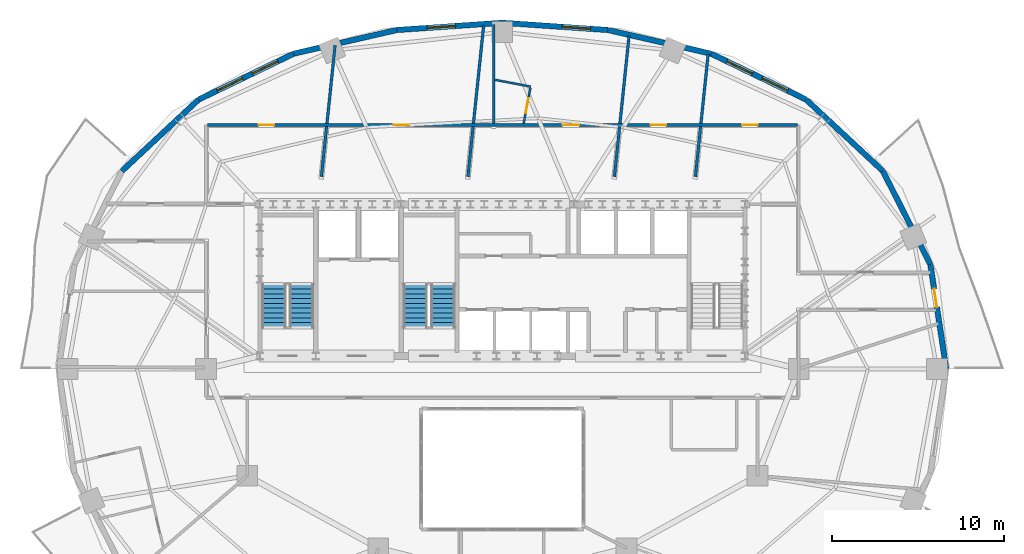
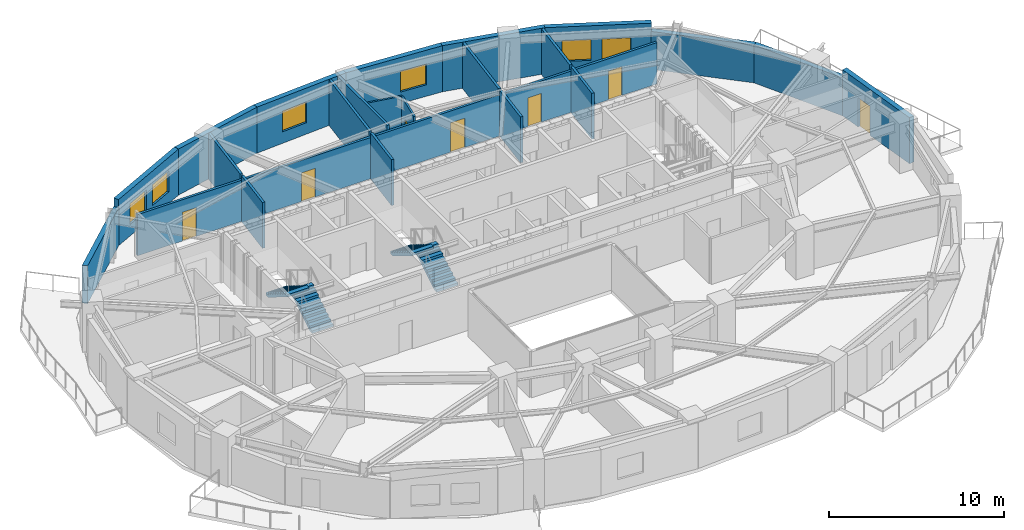
# One storey, part 8 of 13: 22 walls, 7 doors, 6 windows, 4 stair flights, 13 openings, 2 elements without a shape of their own.
"""IFC4 building model written with IfcOpenShell, lengths in metres."""

from ifc_helpers import new_model, si_unit, direction, frame, frame_2d, origin, place, context, subcontext, project, spatial, polyline, rectangle, outline, extrude, material, layer, layer_set, type_object, element, fill, aggregate, save


model = new_model("IFC4")

# Units and contexts
model_context = context("Model", 3, precision=1e-05, world=origin(), true_north=direction((0.0, 1.0)))
body_context = subcontext(model_context, "Body", "Model", "MODEL_VIEW")
ifc_project = project(units=[si_unit("LENGTHUNIT", "METRE"), si_unit("AREAUNIT", "SQUARE_METRE"), si_unit("VOLUMEUNIT", "CUBIC_METRE"), si_unit("PLANEANGLEUNIT", "RADIAN"), si_unit("MASSUNIT", "GRAM", prefix="KILO")], contexts=[model_context])

# Site, building, storey
site_placement = place(None, origin())
site = spatial("IfcSite", under=ifc_project, at=site_placement, CompositionType="ELEMENT")
building_placement = place(site_placement, origin())
building = spatial("IfcBuilding", under=site, at=building_placement, Name="Haldorwick Loom Tower", CompositionType="ELEMENT")
storey_placement = place(building_placement, frame((0.0, 0.0, 175.14990234375)))
storey = spatial("IfcBuildingStorey", under=building, at=storey_placement, Name="L47", CompositionType="ELEMENT", Elevation=175.14990234375)

# Wall, opening, door
ifc_material_1 = material(Name="Pressed Clay Face Brick and Insulated Masonry Backup Assembly", Category="masonry")
ifc_layer_1 = layer(ifc_material_1, 0.320068359375, Name="Pressed Clay Face Brick and Insulated Masonry Backup Assembly", Category="masonry")
ifc_layer_set_1 = layer_set([ifc_layer_1], Name="Pressed Clay Face Brick and Insulated Masonry Backup Assembly")
wall_type_1 = type_object("IfcWallType", Name="ARC-WL-EXT320", PredefinedType="STANDARD", material=ifc_layer_set_1)
wall_1_placement = place(storey_placement, frame((61.757080078125, 26.0, 0.0), z_axis=(0.0, 0.0, 1.0), x_axis=(-0.150544467684, 0.988603238539, 0.0)))
wall_1 = element("IfcWall", 1, at=wall_1_placement, inside=storey, type_object=wall_type_1, Name="L47 Brick Pier and Spandrel Wall 1", PredefinedType="STANDARD", context=body_context, shape_type="SweptSolid", body=[
    extrude(rectangle(XDim=6.125244140625, YDim=0.320068359375, at=frame_2d((3.0625, 0.0))), origin(), (0.0, 0.0, 1.0), 3.210205078125),
])
opening_1_placement = place(wall_1_placement, frame((3.62890625, 0.0, 0.0)))
opening_1 = element("IfcOpeningElement", 2, at=opening_1_placement, cuts=wall_1, Name="Opening D-BL11", PredefinedType="OPENING", context=body_context, shape_type="SweptSolid", body=[
    extrude(rectangle(XDim=1.080078125, YDim=2.0400390625, at=frame_2d((0.5400390625, 1.02001953125))), frame((0.0, 0.169921875, 0.0), z_axis=(0.0, -1.0, 0.0), x_axis=(1.0, 0.0, 0.0)), (0.0, 0.0, 1.0), 0.340087890625),
])
ifc_material_2 = material(Name="Thermally Broken Anodized Aluminium Curtain Wall Framing", Category="aluminium")
door_type_1 = type_object("IfcDoorType", Name="ARC-DR-BAL110", OperationType="NOTDEFINED", PredefinedType="DOOR", material=ifc_material_2)
door_1_placement = place(opening_1_placement, origin())
door_1 = element("IfcDoor", 3, at=door_1_placement, inside=storey, type_object=door_type_1, Name="L47 Outdoor Terrace Door SLB-L47-BAL_ENE", OperationType="SINGLE_SWING_LEFT", OverallHeight=2.0400390625, OverallWidth=1.080078125, PredefinedType="DOOR", context=body_context, shape_type="SweptSolid", body=[
    extrude(rectangle(XDim=1.080078125, YDim=2.0400390625, at=frame_2d((0.5400390625, 1.02001953125))), frame((0.0, 0.02490234375, 0.0), z_axis=(0.0, -1.0, 0.0), x_axis=(1.0, 0.0, 0.0)), (0.0, 0.0, 1.0), 0.050048828125),
])
fill(opening_1, door_1)

# Walls
wall_2_placement = place(storey_placement, frame((60.8349609375, 32.055419921875, 0.0), z_axis=(0.0, 0.0, 1.0), x_axis=(-0.453172129629, 0.89142303141, 0.0)))
element("IfcWall", 4, at=wall_2_placement, inside=storey, type_object=wall_type_1, Name="L47 Brick Pier and Spandrel Wall 2", PredefinedType="STANDARD", context=body_context, shape_type="SweptSolid", body=[
    extrude(rectangle(XDim=6.086669921875, YDim=0.320068359375, at=frame_2d((3.04345703125, 0.0))), origin(), (0.0, 0.0, 1.0), 2.64111328125),
])
wall_3_placement = place(storey_placement, frame((58.07666015625, 37.481201171875, 0.0), z_axis=(0.0, 0.0, 1.0), x_axis=(-0.732001571644, 0.681302942244, 0.0)))
element("IfcWall", 5, at=wall_3_placement, inside=storey, type_object=wall_type_1, Name="L47 Brick Pier and Spandrel Wall 3", PredefinedType="STANDARD", context=body_context, shape_type="SweptSolid", body=[
    extrude(rectangle(XDim=6.0869140625, YDim=0.320068359375, at=frame_2d((3.04345703125, 0.0))), origin(), (0.0, 0.0, 1.0), 2.64111328125),
])

# Wall, openings, windows
wall_4_placement = place(storey_placement, frame((53.62109375, 41.628173828125, 0.0), z_axis=(0.0, 0.0, 1.0), x_axis=(-0.900472429216, 0.43491309962, 0.0)))
wall_4 = element("IfcWall", 6, at=wall_4_placement, inside=storey, type_object=wall_type_1, Name="L47 Brick Pier and Spandrel Wall 4", PredefinedType="STANDARD", context=body_context, shape_type="SweptSolid", body=[
    extrude(rectangle(XDim=6.1181640625, YDim=0.320068359375, at=frame_2d((3.05908203125, 0.0))), origin(), (0.0, 0.0, 1.0), 3.210205078125),
])
opening_2_placement = place(wall_4_placement, frame((1.181884765625, 0.0, 0.800048828125)))
opening_2 = element("IfcOpeningElement", 7, at=opening_2_placement, cuts=wall_4, Name="Opening W-01B", PredefinedType="OPENING", context=body_context, shape_type="SweptSolid", body=[
    extrude(rectangle(XDim=1.64990234375, YDim=1.449951171875, at=frame_2d((0.824951171875, 0.72509765625))), frame((0.0, 0.169921875, 0.0), z_axis=(0.0, -1.0, 0.0), x_axis=(1.0, 0.0, 0.0)), (0.0, 0.0, 1.0), 0.340087890625),
])
opening_3_placement = place(wall_4_placement, frame((3.4580078125, 0.0, 0.800048828125)))
opening_3 = element("IfcOpeningElement", 8, at=opening_3_placement, cuts=wall_4, Name="Opening W-01B", PredefinedType="OPENING", context=body_context, shape_type="SweptSolid", body=[
    extrude(rectangle(XDim=1.64990234375, YDim=1.449951171875, at=frame_2d((0.824951171875, 0.72509765625))), frame((0.0, 0.169921875, 0.0), z_axis=(0.0, -1.0, 0.0), x_axis=(1.0, 0.0, 0.0)), (0.0, 0.0, 1.0), 0.340087890625),
])
ifc_material_3 = material(Name="Triple-Glazed Low-E Argon Insulated Glazing Unit", Category="glass")
window_type = type_object("IfcWindowType", Name="ARC-WIN-W165", PartitioningType="SINGLE_PANEL", PredefinedType="WINDOW", material=ifc_material_3)
window_1_placement = place(opening_2_placement, origin())
window_1 = element("IfcWindow", 9, at=window_1_placement, inside=storey, type_object=window_type, Name="L47 Deep-Set Zone 7A Window 4", OverallHeight=1.449951171875, OverallWidth=1.64990234375, PartitioningType="SINGLE_PANEL", PredefinedType="WINDOW", context=body_context, shape_type="SweptSolid", body=[
    extrude(rectangle(XDim=1.64990234375, YDim=1.449951171875, at=frame_2d((0.824951171875, 0.72509765625))), frame((0.0, 0.030029296875, 0.0), z_axis=(0.0, -1.0, 0.0), x_axis=(1.0, 0.0, 0.0)), (0.0, 0.0, 1.0), 0.06005859375),
])
fill(opening_2, window_1)
window_2_placement = place(opening_3_placement, origin())
window_2 = element("IfcWindow", 10, at=window_2_placement, inside=storey, type_object=window_type, Name="L47 Deep-Set Zone 7A Window 4", OverallHeight=1.449951171875, OverallWidth=1.64990234375, PartitioningType="SINGLE_PANEL", PredefinedType="WINDOW", context=body_context, shape_type="SweptSolid", body=[
    extrude(rectangle(XDim=1.64990234375, YDim=1.449951171875, at=frame_2d((0.824951171875, 0.72509765625))), frame((0.0, 0.030029296875, 0.0), z_axis=(0.0, -1.0, 0.0), x_axis=(1.0, 0.0, 0.0)), (0.0, 0.0, 1.0), 0.06005859375),
])
fill(opening_3, window_2)

# Wall
wall_5_placement = place(storey_placement, frame((48.11181640625, 44.2890625, 0.0), z_axis=(0.0, 0.0, 1.0), x_axis=(-0.974593223547, 0.223982250674, 0.0)))
element("IfcWall", 11, at=wall_5_placement, inside=storey, type_object=wall_type_1, Name="L47 Brick Pier and Spandrel Wall 5", PredefinedType="STANDARD", context=body_context, shape_type="SweptSolid", body=[
    extrude(rectangle(XDim=6.138916015625, YDim=0.320068359375, at=frame_2d((3.0693359375, 0.0))), origin(), (0.0, 0.0, 1.0), 3.210205078125),
])

# Wall, opening, window
wall_6_placement = place(storey_placement, frame((42.12890625, 45.6640625, 0.0), z_axis=(0.0, 0.0, 1.0), x_axis=(-0.997652942988, 0.068473391522, 0.0)))
wall_6 = element("IfcWall", 12, at=wall_6_placement, inside=storey, type_object=wall_type_1, Name="L47 Brick Pier and Spandrel Wall 6", PredefinedType="STANDARD", context=body_context, shape_type="SweptSolid", body=[
    extrude(rectangle(XDim=6.143310546875, YDim=0.320068359375, at=frame_2d((3.07177734375, 0.0))), origin(), (0.0, 0.0, 1.0), 3.210205078125),
])
opening_4_placement = place(wall_6_placement, frame((1.01806640625, 0.0, 0.800048828125)))
opening_4 = element("IfcOpeningElement", 13, at=opening_4_placement, cuts=wall_6, Name="Opening W-01B", PredefinedType="OPENING", context=body_context, shape_type="SweptSolid", body=[
    extrude(rectangle(XDim=1.64990234375, YDim=1.449951171875, at=frame_2d((0.824951171875, 0.72509765625))), frame((0.0, 0.169921875, 0.0), z_axis=(0.0, -1.0, 0.0), x_axis=(1.0, 0.0, 0.0)), (0.0, 0.0, 1.0), 0.340087890625),
])
window_3_placement = place(opening_4_placement, origin())
window_3 = element("IfcWindow", 14, at=window_3_placement, inside=storey, type_object=window_type, Name="L47 Deep-Set Zone 7A Window 6", OverallHeight=1.449951171875, OverallWidth=1.64990234375, PartitioningType="SINGLE_PANEL", PredefinedType="WINDOW", context=body_context, shape_type="SweptSolid", body=[
    extrude(rectangle(XDim=1.64990234375, YDim=1.449951171875, at=frame_2d((0.824951171875, 0.72509765625))), frame((0.0, 0.030029296875, 0.0), z_axis=(0.0, -1.0, 0.0), x_axis=(1.0, 0.0, 0.0)), (0.0, 0.0, 1.0), 0.06005859375),
])
fill(opening_4, window_3)

wall_7_placement = place(storey_placement, frame((36.0, 46.084716796875, 0.0), z_axis=(0.0, 0.0, 1.0), x_axis=(-0.997652942988, -0.068473391522, 0.0)))
wall_7 = element("IfcWall", 15, at=wall_7_placement, inside=storey, type_object=wall_type_1, Name="L47 Brick Pier and Spandrel Wall 7", PredefinedType="STANDARD", context=body_context, shape_type="SweptSolid", body=[
    extrude(rectangle(XDim=6.143310546875, YDim=0.320068359375, at=frame_2d((3.07177734375, 0.0))), origin(), (0.0, 0.0, 1.0), 3.210205078125),
])
opening_5_placement = place(wall_7_placement, frame((2.723388671875, 0.0, 0.800048828125)))
opening_5 = element("IfcOpeningElement", 16, at=opening_5_placement, cuts=wall_7, Name="Opening W-01B", PredefinedType="OPENING", context=body_context, shape_type="SweptSolid", body=[
    extrude(rectangle(XDim=1.64990234375, YDim=1.449951171875, at=frame_2d((0.824951171875, 0.72509765625))), frame((0.0, 0.169921875, 0.0), z_axis=(0.0, -1.0, 0.0), x_axis=(1.0, 0.0, 0.0)), (0.0, 0.0, 1.0), 0.340087890625),
])
window_4_placement = place(opening_5_placement, origin())
window_4 = element("IfcWindow", 17, at=window_4_placement, inside=storey, type_object=window_type, Name="L47 Deep-Set Zone 7A Window 7", OverallHeight=1.449951171875, OverallWidth=1.64990234375, PartitioningType="SINGLE_PANEL", PredefinedType="WINDOW", context=body_context, shape_type="SweptSolid", body=[
    extrude(rectangle(XDim=1.64990234375, YDim=1.449951171875, at=frame_2d((0.824951171875, 0.72509765625))), frame((0.0, 0.030029296875, 0.0), z_axis=(0.0, -1.0, 0.0), x_axis=(1.0, 0.0, 0.0)), (0.0, 0.0, 1.0), 0.06005859375),
])
fill(opening_5, window_4)

# Wall
wall_8_placement = place(storey_placement, frame((29.87109375, 45.6640625, 0.0), z_axis=(0.0, 0.0, 1.0), x_axis=(-0.974593223547, -0.223982250674, 0.0)))
element("IfcWall", 18, at=wall_8_placement, inside=storey, type_object=wall_type_1, Name="L47 Brick Pier and Spandrel Wall 8", PredefinedType="STANDARD", context=body_context, shape_type="SweptSolid", body=[
    extrude(rectangle(XDim=6.138916015625, YDim=0.320068359375, at=frame_2d((3.0693359375, 0.0))), origin(), (0.0, 0.0, 1.0), 3.210205078125),
])

# Wall, openings, windows
wall_9_placement = place(storey_placement, frame((23.88818359375, 44.2890625, 0.0), z_axis=(0.0, 0.0, 1.0), x_axis=(-0.900479976617, -0.434897472644, 0.0)))
wall_9 = element("IfcWall", 19, at=wall_9_placement, inside=storey, type_object=wall_type_1, Name="L47 Brick Pier and Spandrel Wall 9", PredefinedType="STANDARD", context=body_context, shape_type="SweptSolid", body=[
    extrude(rectangle(XDim=6.118408203125, YDim=0.320068359375, at=frame_2d((3.05908203125, 0.0))), origin(), (0.0, 0.0, 1.0), 3.210205078125),
])
opening_6_placement = place(wall_9_placement, frame((1.010498046875, 0.0, 0.800048828125)))
opening_6 = element("IfcOpeningElement", 20, at=opening_6_placement, cuts=wall_9, Name="Opening W-01B", PredefinedType="OPENING", context=body_context, shape_type="SweptSolid", body=[
    extrude(rectangle(XDim=1.64990234375, YDim=1.449951171875, at=frame_2d((0.824951171875, 0.72509765625))), frame((0.0, 0.169921875, 0.0), z_axis=(0.0, -1.0, 0.0), x_axis=(1.0, 0.0, 0.0)), (0.0, 0.0, 1.0), 0.340087890625),
])
opening_7_placement = place(wall_9_placement, frame((3.28662109375, 0.0, 0.800048828125)))
opening_7 = element("IfcOpeningElement", 21, at=opening_7_placement, cuts=wall_9, Name="Opening W-01B", PredefinedType="OPENING", context=body_context, shape_type="SweptSolid", body=[
    extrude(rectangle(XDim=1.64990234375, YDim=1.449951171875, at=frame_2d((0.824951171875, 0.72509765625))), frame((0.0, 0.169921875, 0.0), z_axis=(0.0, -1.0, 0.0), x_axis=(1.0, 0.0, 0.0)), (0.0, 0.0, 1.0), 0.340087890625),
])
window_5_placement = place(opening_6_placement, origin())
window_5 = element("IfcWindow", 22, at=window_5_placement, inside=storey, type_object=window_type, Name="L47 Deep-Set Zone 7A Window 9", OverallHeight=1.449951171875, OverallWidth=1.64990234375, PartitioningType="SINGLE_PANEL", PredefinedType="WINDOW", context=body_context, shape_type="SweptSolid", body=[
    extrude(rectangle(XDim=1.64990234375, YDim=1.449951171875, at=frame_2d((0.824951171875, 0.72509765625))), frame((0.0, 0.030029296875, 0.0), z_axis=(0.0, -1.0, 0.0), x_axis=(1.0, 0.0, 0.0)), (0.0, 0.0, 1.0), 0.06005859375),
])
fill(opening_6, window_5)
window_6_placement = place(opening_7_placement, origin())
window_6 = element("IfcWindow", 23, at=window_6_placement, inside=storey, type_object=window_type, Name="L47 Deep-Set Zone 7A Window 9", OverallHeight=1.449951171875, OverallWidth=1.64990234375, PartitioningType="SINGLE_PANEL", PredefinedType="WINDOW", context=body_context, shape_type="SweptSolid", body=[
    extrude(rectangle(XDim=1.64990234375, YDim=1.449951171875, at=frame_2d((0.824951171875, 0.72509765625))), frame((0.0, 0.030029296875, 0.0), z_axis=(0.0, -1.0, 0.0), x_axis=(1.0, 0.0, 0.0)), (0.0, 0.0, 1.0), 0.06005859375),
])
fill(opening_7, window_6)

# Wall
wall_10_placement = place(storey_placement, frame((18.378662109375, 41.628173828125, 0.0), z_axis=(0.0, 0.0, 1.0), x_axis=(-0.731982952968, -0.681322945866, 0.0)))
element("IfcWall", 24, at=wall_10_placement, inside=storey, type_object=wall_type_1, Name="L47 Brick Pier and Spandrel Wall 10", PredefinedType="STANDARD", context=body_context, shape_type="SweptSolid", body=[
    extrude(rectangle(XDim=6.086669921875, YDim=0.320068359375, at=frame_2d((3.04345703125, 0.0))), origin(), (0.0, 0.0, 1.0), 2.64111328125),
])

# Wall, openings, doors
ifc_material_4 = material(Name="Fire-Rated Type X Gypsum Stud Assembly EI 60")
ifc_layer_2 = layer(ifc_material_4, 0.159912109375, Name="Fire-Rated Type X Gypsum Stud Assembly EI 60")
ifc_layer_set_2 = layer_set([ifc_layer_2], Name="Fire-Rated Type X Gypsum Stud Assembly EI 60")
wall_type_2 = type_object("IfcWallType", Name="ARC-WL-FIRE160", PredefinedType="PARTITIONING", material=ifc_layer_set_2)
wall_11_placement = place(storey_placement, frame((18.883056640625, 40.14990234375, 0.0), z_axis=(0.0, 0.0, 1.0), x_axis=(1.0, 0.0, 0.0)))
wall_11 = element("IfcWall", 25, at=wall_11_placement, inside=storey, type_object=wall_type_2, Name="L47 Residential Fire Partition L47-CR-N0", PredefinedType="PARTITIONING", context=body_context, shape_type="SweptSolid", body=[
    extrude(rectangle(XDim=34.23388671875, YDim=0.159912109375, at=frame_2d((17.116943359375, 0.0))), origin(), (0.0, 0.0, 1.0), 2.8720703125),
])
opening_8_placement = place(wall_11_placement, frame((10.814208984375, 0.0, 0.0)))
opening_8 = element("IfcOpeningElement", 26, at=opening_8_placement, cuts=wall_11, Name="Opening D-FD60A", PredefinedType="OPENING", context=body_context, shape_type="SweptSolid", body=[
    extrude(rectangle(XDim=0.89990234375, YDim=2.0, at=frame_2d((0.449951171875, 1.0))), frame((0.0, 0.08984375, 0.0), z_axis=(0.0, -1.0, 0.0), x_axis=(1.0, 0.0, 0.0)), (0.0, 0.0, 1.0), 0.179931640625),
])
opening_9_placement = place(wall_11_placement, frame((2.973388671875, 0.0, 0.0)))
opening_9 = element("IfcOpeningElement", 27, at=opening_9_placement, cuts=wall_11, Name="Opening D-FD60A", PredefinedType="OPENING", context=body_context, shape_type="SweptSolid", body=[
    extrude(rectangle(XDim=0.89990234375, YDim=2.0, at=frame_2d((0.449951171875, 1.0))), frame((0.0, 0.08984375, 0.0), z_axis=(0.0, -1.0, 0.0), x_axis=(1.0, 0.0, 0.0)), (0.0, 0.0, 1.0), 0.179931640625),
])
opening_10_placement = place(wall_11_placement, frame((20.61767578125, 0.0, 0.0)))
opening_10 = element("IfcOpeningElement", 28, at=opening_10_placement, cuts=wall_11, Name="Opening D-FL95", PredefinedType="OPENING", context=body_context, shape_type="SweptSolid", body=[
    extrude(rectangle(XDim=0.949951171875, YDim=2.0400390625, at=frame_2d((0.47509765625, 1.02001953125))), frame((0.0, 0.08984375, 0.0), z_axis=(0.0, -1.0, 0.0), x_axis=(1.0, 0.0, 0.0)), (0.0, 0.0, 1.0), 0.179931640625),
])
opening_11_placement = place(wall_11_placement, frame((31.023193359375, 0.0, 0.0)))
opening_11 = element("IfcOpeningElement", 29, at=opening_11_placement, cuts=wall_11, Name="Opening D-FD60A", PredefinedType="OPENING", context=body_context, shape_type="SweptSolid", body=[
    extrude(rectangle(XDim=0.89990234375, YDim=2.0, at=frame_2d((0.449951171875, 1.0))), frame((0.0, 0.08984375, 0.0), z_axis=(0.0, -1.0, 0.0), x_axis=(1.0, 0.0, 0.0)), (0.0, 0.0, 1.0), 0.179931640625),
])
opening_12_placement = place(wall_11_placement, frame((25.722412109375, 0.0, 0.0)))
opening_12 = element("IfcOpeningElement", 30, at=opening_12_placement, cuts=wall_11, Name="Opening D-FD60A", PredefinedType="OPENING", context=body_context, shape_type="SweptSolid", body=[
    extrude(rectangle(XDim=0.89990234375, YDim=2.0, at=frame_2d((0.449951171875, 1.0))), frame((0.0, 0.08984375, 0.0), z_axis=(0.0, -1.0, 0.0), x_axis=(1.0, 0.0, 0.0)), (0.0, 0.0, 1.0), 0.179931640625),
])
ifc_material_5 = material(Name="Hollow Steel Fire Door Assembly", Category="steel")
door_type_2 = type_object("IfcDoorType", Name="ARC-DR-FD60-90", OperationType="NOTDEFINED", PredefinedType="DOOR", material=ifc_material_5)
door_2_placement = place(opening_8_placement, frame((0.89990234375, 0.0, 0.0), z_axis=(0.0, 0.0, 1.0), x_axis=(-1.0, 0.0, 0.0)))
door_2 = element("IfcDoor", 31, at=door_2_placement, inside=storey, type_object=door_type_2, Name="L47 Community Library Hall 3 to L47 North Residential Corridor Door", OperationType="SINGLE_SWING_RIGHT", OverallHeight=2.0, OverallWidth=0.89990234375, PredefinedType="DOOR", context=body_context, shape_type="SweptSolid", body=[
    extrude(rectangle(XDim=0.89990234375, YDim=2.0, at=frame_2d((0.449951171875, 1.0))), frame((0.0, 0.02490234375, 0.0), z_axis=(0.0, -1.0, 0.0), x_axis=(1.0, 0.0, 0.0)), (0.0, 0.0, 1.0), 0.050048828125),
])
fill(opening_8, door_2)
door_3_placement = place(opening_9_placement, frame((0.89990234375, 0.0, 0.0), z_axis=(0.0, 0.0, 1.0), x_axis=(-1.0, 0.0, 0.0)))
door_3 = element("IfcDoor", 32, at=door_3_placement, inside=storey, type_object=door_type_2, Name="L47 Community Library Hall 2 to L47 North Residential Corridor Door", OperationType="SINGLE_SWING_LEFT", OverallHeight=2.0, OverallWidth=0.89990234375, PredefinedType="DOOR", context=body_context, shape_type="SweptSolid", body=[
    extrude(rectangle(XDim=0.89990234375, YDim=2.0, at=frame_2d((0.449951171875, 1.0))), frame((0.0, 0.02490234375, 0.0), z_axis=(0.0, -1.0, 0.0), x_axis=(1.0, 0.0, 0.0)), (0.0, 0.0, 1.0), 0.050048828125),
])
fill(opening_9, door_3)
door_4_placement = place(opening_11_placement, origin())
door_4 = element("IfcDoor", 33, at=door_4_placement, inside=storey, type_object=door_type_2, Name="L47 Community Library Hall 1 to L47 North Residential Corridor Door", OperationType="SINGLE_SWING_LEFT", OverallHeight=2.0, OverallWidth=0.89990234375, PredefinedType="DOOR", context=body_context, shape_type="SweptSolid", body=[
    extrude(rectangle(XDim=0.89990234375, YDim=2.0, at=frame_2d((0.449951171875, 1.0))), frame((0.0, 0.02490234375, 0.0), z_axis=(0.0, -1.0, 0.0), x_axis=(1.0, 0.0, 0.0)), (0.0, 0.0, 1.0), 0.050048828125),
])
fill(opening_11, door_4)
door_5_placement = place(opening_12_placement, frame((0.89990234375, 0.0, 0.0), z_axis=(0.0, 0.0, 1.0), x_axis=(-1.0, 0.0, 0.0)))
door_5 = element("IfcDoor", 34, at=door_5_placement, inside=storey, type_object=door_type_2, Name="L47 Resident Study Room 9 to L47 North Residential Corridor Door", OperationType="SINGLE_SWING_RIGHT", OverallHeight=2.0, OverallWidth=0.89990234375, PredefinedType="DOOR", context=body_context, shape_type="SweptSolid", body=[
    extrude(rectangle(XDim=0.89990234375, YDim=2.0, at=frame_2d((0.449951171875, 1.0))), frame((0.0, 0.02490234375, 0.0), z_axis=(0.0, -1.0, 0.0), x_axis=(1.0, 0.0, 0.0)), (0.0, 0.0, 1.0), 0.050048828125),
])
fill(opening_12, door_5)
ifc_material_6 = material(Name="Solid Core Birch Architectural Door")
door_type_3 = type_object("IfcDoorType", Name="ARC-DR-FLAT95", OperationType="NOTDEFINED", PredefinedType="DOOR", material=ifc_material_6)
door_6_placement = place(opening_10_placement, frame((0.949951171875, 0.0, 0.0), z_axis=(0.0, 0.0, 1.0), x_axis=(-1.0, 0.0, 0.0)))
door_6 = element("IfcDoor", 35, at=door_6_placement, inside=storey, type_object=door_type_3, Name="L47 Unit 47D Kitchen and Studio Living Room to L47 North Residential Cor", OperationType="SINGLE_SWING_RIGHT", OverallHeight=2.0400390625, OverallWidth=0.949951171875, PredefinedType="DOOR", context=body_context, shape_type="SweptSolid", body=[
    extrude(rectangle(XDim=0.949951171875, YDim=2.0400390625, at=frame_2d((0.47509765625, 1.02001953125))), frame((0.0, 0.02490234375, 0.0), z_axis=(0.0, -1.0, 0.0), x_axis=(1.0, 0.0, 0.0)), (0.0, 0.0, 1.0), 0.050048828125),
])
fill(opening_10, door_6)

# Walls
wall_12_placement = place(storey_placement, frame((35.5, 40.23291015625, 0.0), z_axis=(0.0, 0.0, 1.0), x_axis=(0.0, 1.0, 0.0)))
element("IfcWall", 36, at=wall_12_placement, inside=storey, type_object=wall_type_2, Name="L47 Residential Fire Partition L47-NBP-0", PredefinedType="PARTITIONING", context=body_context, shape_type="SweptSolid", body=[
    extrude(rectangle(XDim=5.752197265625, YDim=0.159912109375, at=frame_2d((2.8759765625, 0.0))), origin(), (0.0, 0.0, 1.0), 3.195068359375),
])
wall_13_placement = place(storey_placement, frame((25.5, 37.14990234375, 0.0), z_axis=(0.0, 0.0, 1.0), x_axis=(0.103558045218, 0.994623411785, 0.0)))
element("IfcWall", 37, at=wall_13_placement, inside=storey, type_object=wall_type_2, Name="L47 Residential Fire Partition L47-UPN-11", PredefinedType="PARTITIONING", context=body_context, shape_type="SweptSolid", body=[
    extrude(rectangle(XDim=2.932861328125, YDim=0.159912109375, at=frame_2d((1.46630859375, 0.0))), origin(), (0.0, 0.0, 1.0), 3.195068359375),
])
wall_14_placement = place(storey_placement, frame((25.821044921875, 40.23291015625, 0.0), z_axis=(0.0, 0.0, 1.0), x_axis=(0.10360498247, 0.99461852366, 0.0)))
element("IfcWall", 38, at=wall_14_placement, inside=storey, type_object=wall_type_2, Name="L47 Residential Fire Partition L47-UPN-11", PredefinedType="PARTITIONING", context=body_context, shape_type="SweptSolid", body=[
    extrude(rectangle(XDim=4.56689453125, YDim=0.159912109375, at=frame_2d((2.283447265625, 0.0))), origin(), (0.0, 0.0, 1.0), 3.195068359375),
])
wall_15_placement = place(storey_placement, frame((34.0, 37.14990234375, 0.0), z_axis=(0.0, 0.0, 1.0), x_axis=(0.103558045218, 0.994623411785, 0.0)))
element("IfcWall", 39, at=wall_15_placement, inside=storey, type_object=wall_type_2, Name="L47 Residential Fire Partition L47-UPN-12", PredefinedType="PARTITIONING", context=body_context, shape_type="SweptSolid", body=[
    extrude(rectangle(XDim=2.932861328125, YDim=0.159912109375, at=frame_2d((1.46630859375, 0.0))), origin(), (0.0, 0.0, 1.0), 3.195068359375),
])
wall_16_placement = place(storey_placement, frame((34.321044921875, 40.23291015625, 0.0), z_axis=(0.0, 0.0, 1.0), x_axis=(0.103598199088, 0.994619230231, 0.0)))
element("IfcWall", 40, at=wall_16_placement, inside=storey, type_object=wall_type_2, Name="L47 Residential Fire Partition L47-UPN-12", PredefinedType="PARTITIONING", context=body_context, shape_type="SweptSolid", body=[
    extrude(rectangle(XDim=5.7431640625, YDim=0.159912109375, at=frame_2d((2.87158203125, 0.0))), origin(), (0.0, 0.0, 1.0), 3.195068359375),
])
wall_17_placement = place(storey_placement, frame((42.5, 37.14990234375, 0.0), z_axis=(0.0, 0.0, 1.0), x_axis=(0.103558045218, 0.994623411785, 0.0)))
element("IfcWall", 41, at=wall_17_placement, inside=storey, type_object=wall_type_2, Name="L47 Residential Fire Partition L47-UPN-13", PredefinedType="PARTITIONING", context=body_context, shape_type="SweptSolid", body=[
    extrude(rectangle(XDim=2.932861328125, YDim=0.159912109375, at=frame_2d((1.46630859375, 0.0))), origin(), (0.0, 0.0, 1.0), 3.195068359375),
])
wall_18_placement = place(storey_placement, frame((42.821044921875, 40.23291015625, 0.0), z_axis=(0.0, 0.0, 1.0), x_axis=(0.103608053214, 0.994618203789, 0.0)))
element("IfcWall", 42, at=wall_18_placement, inside=storey, type_object=wall_type_2, Name="L47 Residential Fire Partition L47-UPN-13", PredefinedType="PARTITIONING", context=body_context, shape_type="SweptSolid", body=[
    extrude(rectangle(XDim=5.111083984375, YDim=0.159912109375, at=frame_2d((2.5556640625, 0.0))), origin(), (0.0, 0.0, 1.0), 3.195068359375),
])
wall_19_placement = place(storey_placement, frame((47.199951171875, 37.14990234375, 0.0), z_axis=(0.0, 0.0, 1.0), x_axis=(0.103640397417, 0.994614834005, 0.0)))
element("IfcWall", 43, at=wall_19_placement, inside=storey, type_object=wall_type_2, Name="L47 Residential Fire Partition L47-UPN-14", PredefinedType="PARTITIONING", context=body_context, shape_type="SweptSolid", body=[
    extrude(rectangle(XDim=2.932861328125, YDim=0.159912109375, at=frame_2d((1.46630859375, 0.0))), origin(), (0.0, 0.0, 1.0), 3.195068359375),
])
wall_20_placement = place(storey_placement, frame((47.52099609375, 40.23291015625, 0.0), z_axis=(0.0, 0.0, 1.0), x_axis=(0.103608568659, 0.994618150096, 0.0)))
element("IfcWall", 44, at=wall_20_placement, inside=storey, type_object=wall_type_2, Name="L47 Residential Fire Partition L47-UPN-14", PredefinedType="PARTITIONING", context=body_context, shape_type="SweptSolid", body=[
    extrude(rectangle(XDim=4.050537109375, YDim=0.159912109375, at=frame_2d((2.025390625, 0.0))), origin(), (0.0, 0.0, 1.0), 3.195068359375),
])
ifc_material_7 = material(Name="Acoustic Gypsum Stud Assembly STC 55")
ifc_layer_3 = layer(ifc_material_7, 0.1201171875, Name="Acoustic Gypsum Stud Assembly STC 55")
ifc_layer_set_3 = layer_set([ifc_layer_3], Name="Acoustic Gypsum Stud Assembly STC 55")
wall_type_3 = type_object("IfcWallType", Name="ARC-WL-PART120", PredefinedType="PARTITIONING", material=ifc_layer_set_3)
wall_21_placement = place(storey_placement, frame((37.640380859375, 42.3798828125, 0.0), z_axis=(0.0, 0.0, 1.0), x_axis=(-0.982427230811, 0.186646018337, 0.0)))
element("IfcWall", 45, at=wall_21_placement, inside=storey, type_object=wall_type_3, Name="L47 Unit 47D Interior Partition", PredefinedType="PARTITIONING", context=body_context, shape_type="SweptSolid", body=[
    extrude(rectangle(XDim=2.09423828125, YDim=0.1201171875, at=frame_2d((1.047119140625, 0.0))), origin(), (0.0, 0.0, 1.0), 3.195068359375),
])

# Wall, opening, door
wall_22_placement = place(storey_placement, frame((37.232421875, 40.23291015625, 0.0), z_axis=(0.0, 0.0, 1.0), x_axis=(0.186572940308, 0.982441111693, 0.0)))
wall_22 = element("IfcWall", 46, at=wall_22_placement, inside=storey, type_object=wall_type_3, Name="L47 Unit 47D Interior Partition", PredefinedType="PARTITIONING", context=body_context, shape_type="SweptSolid", body=[
    extrude(rectangle(XDim=2.12255859375, YDim=0.1201171875, at=frame_2d((1.061279296875, 0.0))), origin(), (0.0, 0.0, 1.0), 3.195068359375),
])
opening_13_placement = place(wall_22_placement, frame((0.62109375, 0.0, 0.0)))
opening_13 = element("IfcOpeningElement", 47, at=opening_13_placement, cuts=wall_22, Name="Opening D-BT88", PredefinedType="OPENING", context=body_context, shape_type="SweptSolid", body=[
    extrude(rectangle(XDim=0.8798828125, YDim=2.02001953125, at=frame_2d((0.43994140625, 1.010009765625))), frame((0.0, 0.070068359375, 0.0), z_axis=(0.0, -1.0, 0.0), x_axis=(1.0, 0.0, 0.0)), (0.0, 0.0, 1.0), 0.14013671875),
])
door_type_4 = type_object("IfcDoorType", Name="ARC-DR-BATH88", OperationType="NOTDEFINED", PredefinedType="DOOR", material=ifc_material_6)
door_7_placement = place(opening_13_placement, origin())
door_7 = element("IfcDoor", 48, at=door_7_placement, inside=storey, type_object=door_type_4, Name="L47 Unit 47D Bathroom to Unit 47D Kitchen and Studio Living Room Door", OperationType="SINGLE_SWING_LEFT", OverallHeight=2.02001953125, OverallWidth=0.8798828125, PredefinedType="DOOR", context=body_context, shape_type="SweptSolid", body=[
    extrude(rectangle(XDim=0.8798828125, YDim=2.02001953125, at=frame_2d((0.43994140625, 1.010009765625))), frame((0.0, 0.02490234375, 0.0), z_axis=(0.0, -1.0, 0.0), x_axis=(1.0, 0.0, 0.0)), (0.0, 0.0, 1.0), 0.050048828125),
])
fill(opening_13, door_7)

# Stair, stair flights
ifc_material_8 = material(Name="Concrete C40 (40 MPa)", Category="concrete")
stair_type = type_object("IfcStairType", Name="STR-STR-CORE", PredefinedType="HALF_TURN_STAIR", material=ifc_material_8)
stair_1_placement = place(storey_placement, origin())
stair_1 = element("IfcStair", 49, at=stair_1_placement, inside=storey, type_object=stair_type, Name="L47 Exit Stair ST-01", PredefinedType="HALF_TURN_STAIR")
stair_flight_type = type_object("IfcStairFlightType", Name="STR-STF-1250", PredefinedType="STRAIGHT", material=ifc_material_8)
stair_flight_1_placement = place(storey_placement, frame((24.35009765625, 28.39990234375, 0.0), z_axis=(0.0, 0.0, 1.0), x_axis=(0.0, 1.0, 0.0)))
stair_flight_1 = element("IfcStairFlight", 50, at=stair_flight_1_placement, type_object=stair_flight_type, Name="ST-01 flight 1", NumberOfRisers=10, NumberOfTreads=9, PredefinedType="STRAIGHT", RiserHeight=0.1725, TreadLength=0.28, context=body_context, shape_type="SweptSolid", body=[
    extrude(outline(polyline([(0.0, 0.0), (0.0, 0.172607421875), (0.280029296875, 0.172607421875), (0.280029296875, 0.344970703125), (0.56005859375, 0.344970703125), (0.56005859375, 0.517578125), (0.840087890625, 0.517578125), (0.840087890625, 0.68994140625), (1.1201171875, 0.68994140625), (1.1201171875, 0.862548828125), (1.39990234375, 0.862548828125), (1.39990234375, 1.034912109375), (1.679931640625, 1.034912109375), (1.679931640625, 1.20751953125), (1.9599609375, 1.20751953125), (1.9599609375, 1.3798828125), (2.239990234375, 1.3798828125), (2.239990234375, 1.552490234375), (2.52001953125, 1.552490234375), (2.52001953125, 1.72509765625), (2.52001953125, 1.37646484375), (0.285888671875, 0.0), (0.0, 0.0)])), frame((0.0, 0.699951171875, 0.0), z_axis=(0.0, -1.0, 0.0), x_axis=(1.0, 0.0, 0.0)), (0.0, 0.0, 1.0), 1.39990234375),
])
stair_flight_2_placement = place(storey_placement, frame((22.75, 30.919921875, 1.72509765625), z_axis=(0.0, 0.0, 1.0), x_axis=(0.0, -1.0, 0.0)))
stair_flight_2 = element("IfcStairFlight", 51, at=stair_flight_2_placement, type_object=stair_flight_type, Name="ST-01 flight 2", NumberOfRisers=10, NumberOfTreads=9, PredefinedType="STRAIGHT", RiserHeight=0.1725, TreadLength=0.28, context=body_context, shape_type="SweptSolid", body=[
    extrude(outline(polyline([(0.0, 0.0), (0.0, 0.172607421875), (0.280029296875, 0.172607421875), (0.280029296875, 0.344970703125), (0.56005859375, 0.344970703125), (0.56005859375, 0.517578125), (0.840087890625, 0.517578125), (0.840087890625, 0.68994140625), (1.1201171875, 0.68994140625), (1.1201171875, 0.862548828125), (1.39990234375, 0.862548828125), (1.39990234375, 1.034912109375), (1.679931640625, 1.034912109375), (1.679931640625, 1.20751953125), (1.9599609375, 1.20751953125), (1.9599609375, 1.3798828125), (2.239990234375, 1.3798828125), (2.239990234375, 1.552490234375), (2.52001953125, 1.552490234375), (2.52001953125, 1.72509765625), (2.52001953125, 1.37646484375), (0.285888671875, 0.0), (0.0, 0.0)])), frame((0.0, 0.699951171875, 0.0), z_axis=(0.0, -1.0, 0.0), x_axis=(1.0, 0.0, 0.0)), (0.0, 0.0, 1.0), 1.39990234375),
])
aggregate(stair_1, [stair_flight_1, stair_flight_2])

stair_2_placement = place(storey_placement, origin())
stair_2 = element("IfcStair", 52, at=stair_2_placement, inside=storey, type_object=stair_type, Name="L47 Exit Stair ST-03", PredefinedType="HALF_TURN_STAIR")
stair_flight_3_placement = place(storey_placement, frame((32.550048828125, 28.39990234375, 0.0), z_axis=(0.0, 0.0, 1.0), x_axis=(0.0, 1.0, 0.0)))
stair_flight_3 = element("IfcStairFlight", 53, at=stair_flight_3_placement, type_object=stair_flight_type, Name="ST-03 flight 1", NumberOfRisers=10, NumberOfTreads=9, PredefinedType="STRAIGHT", RiserHeight=0.1725, TreadLength=0.28, context=body_context, shape_type="SweptSolid", body=[
    extrude(outline(polyline([(0.0, 0.0), (0.0, 0.172607421875), (0.280029296875, 0.172607421875), (0.280029296875, 0.344970703125), (0.56005859375, 0.344970703125), (0.56005859375, 0.517578125), (0.840087890625, 0.517578125), (0.840087890625, 0.68994140625), (1.1201171875, 0.68994140625), (1.1201171875, 0.862548828125), (1.39990234375, 0.862548828125), (1.39990234375, 1.034912109375), (1.679931640625, 1.034912109375), (1.679931640625, 1.20751953125), (1.9599609375, 1.20751953125), (1.9599609375, 1.3798828125), (2.239990234375, 1.3798828125), (2.239990234375, 1.552490234375), (2.52001953125, 1.552490234375), (2.52001953125, 1.72509765625), (2.52001953125, 1.37646484375), (0.285888671875, 0.0), (0.0, 0.0)])), frame((0.0, 0.699951171875, 0.0), z_axis=(0.0, -1.0, 0.0), x_axis=(1.0, 0.0, 0.0)), (0.0, 0.0, 1.0), 1.39990234375),
])
stair_flight_4_placement = place(storey_placement, frame((30.949951171875, 30.919921875, 1.72509765625), z_axis=(0.0, 0.0, 1.0), x_axis=(0.0, -1.0, 0.0)))
stair_flight_4 = element("IfcStairFlight", 54, at=stair_flight_4_placement, type_object=stair_flight_type, Name="ST-03 flight 2", NumberOfRisers=10, NumberOfTreads=9, PredefinedType="STRAIGHT", RiserHeight=0.1725, TreadLength=0.28, context=body_context, shape_type="SweptSolid", body=[
    extrude(outline(polyline([(0.0, 0.0), (0.0, 0.172607421875), (0.280029296875, 0.172607421875), (0.280029296875, 0.344970703125), (0.56005859375, 0.344970703125), (0.56005859375, 0.517578125), (0.840087890625, 0.517578125), (0.840087890625, 0.68994140625), (1.1201171875, 0.68994140625), (1.1201171875, 0.862548828125), (1.39990234375, 0.862548828125), (1.39990234375, 1.034912109375), (1.679931640625, 1.034912109375), (1.679931640625, 1.20751953125), (1.9599609375, 1.20751953125), (1.9599609375, 1.3798828125), (2.239990234375, 1.3798828125), (2.239990234375, 1.552490234375), (2.52001953125, 1.552490234375), (2.52001953125, 1.72509765625), (2.52001953125, 1.37646484375), (0.285888671875, 0.0), (0.0, 0.0)])), frame((0.0, 0.699951171875, 0.0), z_axis=(0.0, -1.0, 0.0), x_axis=(1.0, 0.0, 0.0)), (0.0, 0.0, 1.0), 1.39990234375),
])
aggregate(stair_2, [stair_flight_3, stair_flight_4])

save(model, "model.ifc")
